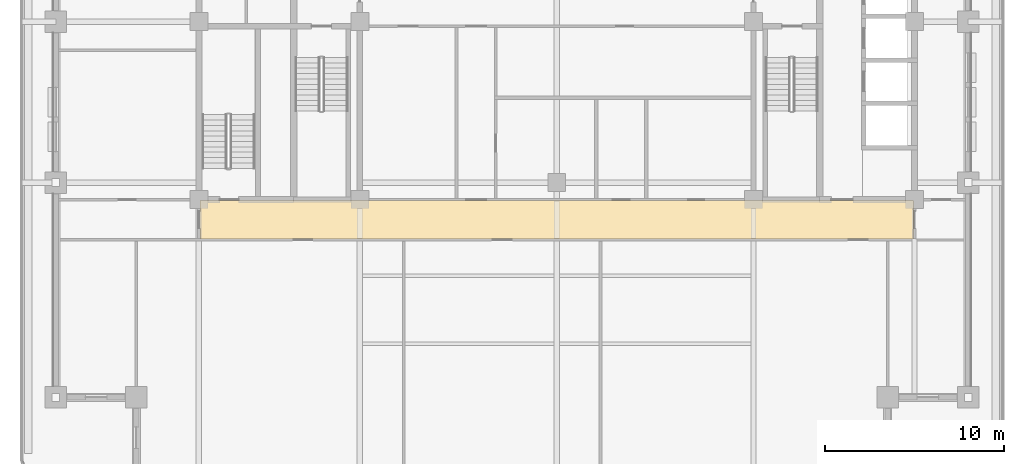
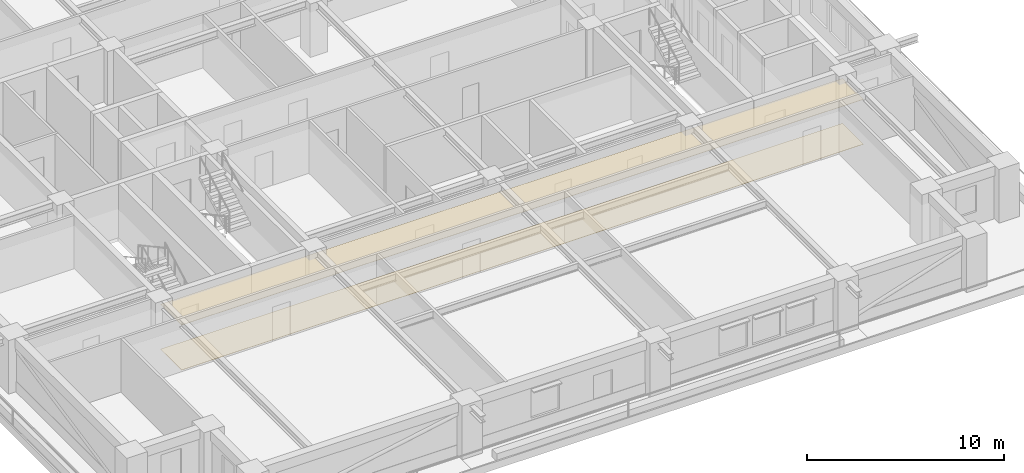
# One storey, part 12 of 15: 2 coverings.
"""IFC4 building model written with IfcOpenShell, lengths in metres."""

from ifc_helpers import new_model, si_unit, direction, frame, origin, place, context, subcontext, project, spatial, polyline, outline, extrude, material, layer, layer_set, type_object, element, save


model = new_model("IFC4")

# Units and contexts
model_context = context("Model", 3, precision=1e-05, world=origin(), true_north=direction((0.0, 1.0)))
body_context = subcontext(model_context, "Body", "Model", "MODEL_VIEW")
ifc_project = project(units=[si_unit("LENGTHUNIT", "METRE"), si_unit("AREAUNIT", "SQUARE_METRE"), si_unit("VOLUMEUNIT", "CUBIC_METRE"), si_unit("PLANEANGLEUNIT", "RADIAN"), si_unit("MASSUNIT", "GRAM", prefix="KILO")], contexts=[model_context])

# Site, building, storey
site_placement = place(None, origin())
site = spatial("IfcSite", under=ifc_project, at=site_placement, CompositionType="ELEMENT")
building_placement = place(site_placement, origin())
building = spatial("IfcBuilding", under=site, at=building_placement, Name="Zulmaris Gate Convention Tower", CompositionType="ELEMENT")
storey_placement = place(building_placement, frame((0.0, 0.0, 128.48974609375)))
storey = spatial("IfcBuildingStorey", under=building, at=storey_placement, Name="L32", CompositionType="ELEMENT", Elevation=128.48974609375)

# Coverings
ifc_material_1 = material(Name="Mineral Fibre Acoustic Ceiling Tile")
ifc_layer_1 = layer(ifc_material_1, 0.02001953125, Name="Mineral Fibre Acoustic Ceiling Tile")
ifc_layer_set_1 = layer_set([ifc_layer_1], Name="Mineral Fibre Acoustic Ceiling Tile")
covering_type_1 = type_object("IfcCoveringType", Name="CLG-ACOUSTIC-600", PredefinedType="CEILING", material=ifc_layer_set_1)
covering_1_placement = place(storey_placement, frame((0.0, 0.0, 2.778076171875)))
element("IfcCovering", 1, at=covering_1_placement, inside=storey, type_object=covering_type_1, Name="CLG-L32-R29", PredefinedType="CEILING", context=body_context, shape_type="SweptSolid", body=[
    extrude(outline(polyline([(-19.93994140625, -12.139892578125), (19.93994140625, -12.139892578125), (19.93994140625, -10.010009765625), (-19.93994140625, -10.010009765625), (-19.93994140625, -12.139892578125)])), origin(), (0.0, 0.0, 1.0), 0.02001953125),
])
ifc_material_2 = material(Name="Woven Acoustic Wool Carpet Tile")
ifc_layer_2 = layer(ifc_material_2, 0.02001953125, Name="Woven Acoustic Wool Carpet Tile")
ifc_layer_set_2 = layer_set([ifc_layer_2], Name="Woven Acoustic Wool Carpet Tile")
covering_type_2 = type_object("IfcCoveringType", Name="FLR-CARPET-12", PredefinedType="FLOORING", material=ifc_layer_set_2)
covering_2_placement = place(storey_placement, origin())
element("IfcCovering", 2, at=covering_2_placement, inside=storey, type_object=covering_type_2, Name="FLR-L32-R29", PredefinedType="FLOORING", context=body_context, shape_type="SweptSolid", body=[
    extrude(outline(polyline([(-19.93994140625, -12.139892578125), (19.93994140625, -12.139892578125), (19.93994140625, -10.010009765625), (-19.93994140625, -10.010009765625), (-19.93994140625, -12.139892578125)])), origin(), (0.0, 0.0, 1.0), 0.02001953125),
])

save(model, "model.ifc")
